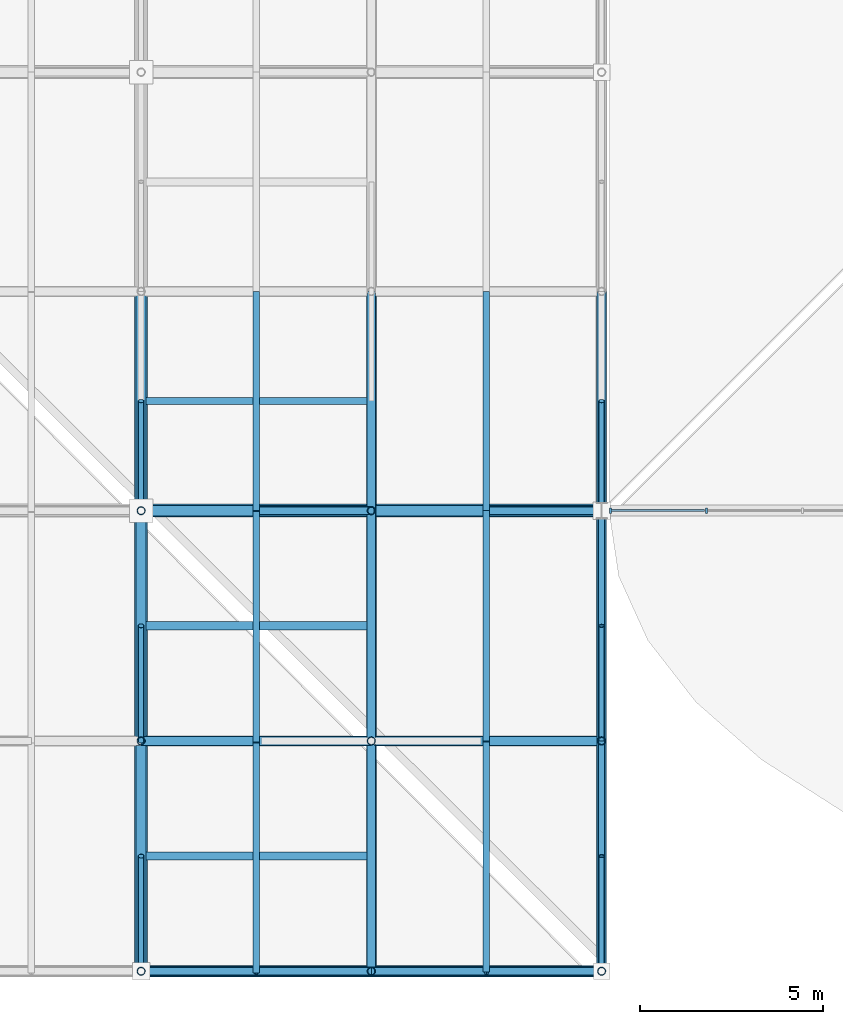
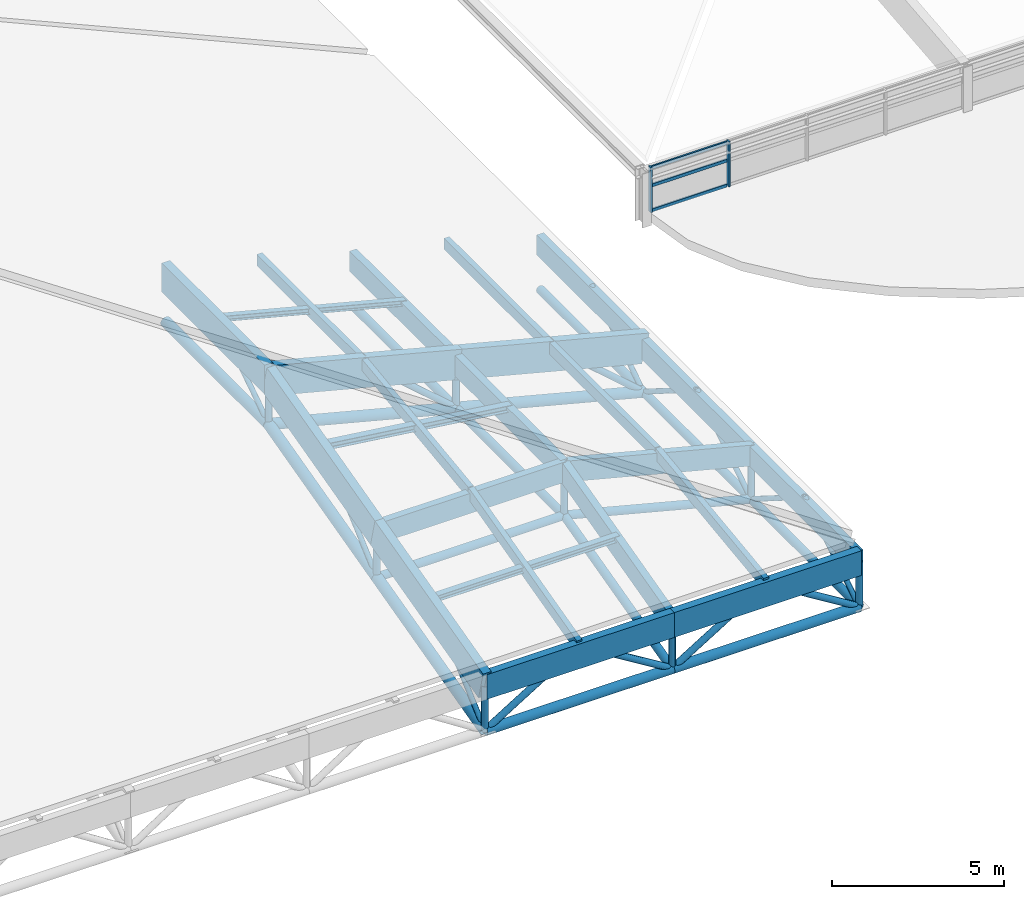
# One storey, part 32 of 80: 66 members, 1 element without a shape of its own.
"""IFC4 building model written with IfcOpenShell, lengths in metres."""

import ifcopenshell
import ifcopenshell.guid

model = None  # the IFC model being written
_history = None  # IfcOwnerHistory: only IFC2X3 demands one
_inside = {}  # id of a spatial element -> (the spatial element, [elements in it])
_under = {}  # id of a project, library or spatial element -> (it, [spatial elements below it])
_declared = {}  # id of a project -> (the project, [libraries it declares])
_typed = {}  # id of a type object -> (the type object, [elements of that type])
_made_of = {}  # id of a material, layer set ... -> (it, [elements and type objects made of it])


def new_model(schema):
    """Start an empty IFC model of exactly this schema.

    Asked for "IFC4X3", IfcOpenShell would pick the latest addendum, in which some entities
    have other attributes; the version numbers below select the first issue.
    IFC2X3 requires an IfcOwnerHistory on every rooted entity: one is made here for all.
    """
    global model, _history
    if schema == "IFC4X3":
        model = ifcopenshell.file(schema_version=(4, 3, 0, 0))
    else:
        model = ifcopenshell.file(schema=schema)
    _inside.clear()
    _under.clear()
    _declared.clear()
    _typed.clear()
    _made_of.clear()
    _history = None
    if model.schema == "IFC2X3":
        org = make("IfcOrganization", Name="unknown")
        user = make(
            "IfcPersonAndOrganization",
            ThePerson=make("IfcPerson", FamilyName="unknown"),
            TheOrganization=org,
        )
        app = make(
            "IfcApplication",
            ApplicationDeveloper=org,
            Version="unknown",
            ApplicationFullName="unknown",
            ApplicationIdentifier="unknown",
        )
        _history = make(
            "IfcOwnerHistory",
            OwningUser=user,
            OwningApplication=app,
            ChangeAction="ADDED",
            CreationDate=0,
        )
    return model


def make(cls, **values):
    """One entity of the class cls with the attributes given. An attribute that is None is left unset."""
    return model.create_entity(
        cls, **{name: value for name, value in values.items() if value is not None}
    )


def rooted(cls, **values):
    """An entity with a GlobalId (a new one), such as an element, a storey or a relation."""
    return make(cls, GlobalId=ifcopenshell.guid.new(), OwnerHistory=_history, **values)


def si_unit(unit_type, name, prefix=None):
    """IfcSIUnit, for example si_unit("LENGTHUNIT", "METRE", prefix="MILLI")."""
    return make("IfcSIUnit", UnitType=unit_type, Prefix=prefix, Name=name)


def assignment(units):
    """IfcUnitAssignment: the units of a project."""
    return None if units is None else make("IfcUnitAssignment", Units=units)


def point(xyz):
    """IfcCartesianPoint."""
    return None if xyz is None else make("IfcCartesianPoint", Coordinates=xyz)


def direction(xyz):
    """IfcDirection."""
    return None if xyz is None else make("IfcDirection", DirectionRatios=xyz)


def frame(location, z_axis=None, x_axis=None):
    """IfcAxis2Placement3D, a coordinate frame: its origin and axes. An axis left out is left unset."""
    return make(
        "IfcAxis2Placement3D",
        Location=point(location),
        Axis=direction(z_axis),
        RefDirection=direction(x_axis),
    )


def frame_2d(location, x_axis=None):
    """IfcAxis2Placement2D, a coordinate frame in the plane: its origin and x axis."""
    return make(
        "IfcAxis2Placement2D", Location=point(location), RefDirection=direction(x_axis)
    )


def origin():
    """The frame at (0, 0, 0) with its axes left unset."""
    return frame((0.0, 0.0, 0.0))


def origin_2d():
    """The frame at (0, 0) in the plane with its x axis left unset."""
    return frame_2d((0.0, 0.0))


def place(relative_to, where):
    """IfcLocalPlacement: puts the frame where relative to a parent placement (None: the world)."""
    return make(
        "IfcLocalPlacement", PlacementRelTo=relative_to, RelativePlacement=where
    )


def context(
    kind, dimensions, precision=None, world=None, true_north=None, identifier=None
):
    """IfcGeometricRepresentationContext, for example the 3D "Model" context."""
    return make(
        "IfcGeometricRepresentationContext",
        ContextIdentifier=identifier,
        ContextType=kind,
        CoordinateSpaceDimension=dimensions,
        Precision=precision,
        WorldCoordinateSystem=world,
        TrueNorth=true_north,
    )


def subcontext(parent, identifier, kind, view, scale=None):
    """IfcGeometricRepresentationSubContext, for example "Body" below "Model"."""
    return make(
        "IfcGeometricRepresentationSubContext",
        ContextIdentifier=identifier,
        ContextType=kind,
        ParentContext=parent,
        TargetScale=scale,
        TargetView=view,
    )


def project(units=None, contexts=None):
    """IfcProject with its units and contexts."""
    return rooted(
        "IfcProject",
        Name="project",
        RepresentationContexts=contexts,
        UnitsInContext=assignment(units),
    )


def spatial(cls, under=None, at=None, **own):
    """A site, building, storey or space (cls), placed at a placement, below another one or the project."""
    s = rooted(cls, ObjectPlacement=at, **own)
    if under is not None:
        _under.setdefault(under.id(), (under, []))[1].append(s)
    return s


def profile(cls, at=None, kind="AREA", **sizes):
    """A parametric profile (cls). Its sizes go by their IFC names, for example OverallWidth=200.0."""
    return make(cls, ProfileType=kind, Position=at, **sizes)


def rectangle(**sizes):
    """IfcRectangleProfileDef."""
    return profile("IfcRectangleProfileDef", **sizes)


def hollow_circle(**sizes):
    """IfcCircleHollowProfileDef."""
    return profile("IfcCircleHollowProfileDef", **sizes)


def i_section(**sizes):
    """IfcIShapeProfileDef."""
    return profile("IfcIShapeProfileDef", **sizes)


def extrude(swept, where, along, depth):
    """IfcExtrudedAreaSolid: the profile swept, set in the frame where, extruded along a direction by depth."""
    return make(
        "IfcExtrudedAreaSolid",
        SweptArea=swept,
        Position=where,
        ExtrudedDirection=direction(along),
        Depth=depth,
    )


def shape(context_of_items, identifier, shape_type, items):
    """IfcShapeRepresentation: the items that make up one representation, for example the "Body"."""
    return make(
        "IfcShapeRepresentation",
        ContextOfItems=context_of_items,
        RepresentationIdentifier=identifier,
        RepresentationType=shape_type,
        Items=items,
    )


def material(Name=None, Category=None):
    """IfcMaterial."""
    return make("IfcMaterial", Name=Name, Category=Category)


def material_profile(
    of_material, cross_section, Name=None, Category=None, Priority=None
):
    """IfcMaterialProfile: a cross section and its material."""
    return make(
        "IfcMaterialProfile",
        Name=Name,
        Material=of_material,
        Profile=cross_section,
        Priority=Priority,
        Category=Category,
    )


def profile_set(profiles, Name=None, composite=None):
    """IfcMaterialProfileSet."""
    return make(
        "IfcMaterialProfileSet",
        Name=Name,
        MaterialProfiles=profiles,
        CompositeProfile=composite,
    )


def made_of(thing, what):
    """Note that an element or type object is made of a material, layer set ...; save() writes the relation."""
    if what is not None:
        _made_of.setdefault(what.id(), (what, []))[1].append(thing)
    return thing


def type_object(cls, material=None, **own):
    """A type object (cls), such as IfcWallType, which elements share."""
    return made_of(rooted(cls, **own), material)


def element(
    cls,
    number,
    at=None,
    inside=None,
    cuts=None,
    type_object=None,
    material=None,
    context=None,
    identifier="Body",
    shape_type=None,
    held_by="IfcProductDefinitionShape",
    body=None,
    shapes=None,
    **own,
):
    """One element of the class cls, such as IfcWall. Its Tag is "e" and its number.

    at: its placement. inside: the storey or other place that contains it. cuts: it is an
    opening in that element (IfcRelVoidsElement). A single representation is given by context,
    identifier, shape_type and body (its items); several are given by shapes. held_by: the class
    of the entity that holds the representations. save() writes the other relations.
    """
    e = rooted(cls, Tag="e%d" % number, ObjectPlacement=at, **own)
    if body is not None:
        shapes = [shape(context, identifier, shape_type, body)]
    if shapes is not None:
        e.Representation = make(held_by, Representations=shapes)
    if inside is not None:
        _inside.setdefault(inside.id(), (inside, []))[1].append(e)
    if cuts is not None:
        rooted(
            "IfcRelVoidsElement", RelatingBuildingElement=cuts, RelatedOpeningElement=e
        )
    if type_object is not None:
        _typed.setdefault(type_object.id(), (type_object, []))[1].append(e)
    return made_of(e, material)


def aggregate(whole, parts):
    """IfcRelAggregates: a whole, such as a stair, and the parts it consists of."""
    return rooted("IfcRelAggregates", RelatingObject=whole, RelatedObjects=parts)


def save(model, path):
    """Write the relations noted so far, then the file.

    IfcRelAggregates (storeys below a building ...), IfcRelContainedInSpatialStructure (elements
    in a storey), IfcRelDefinesByType, IfcRelAssociatesMaterial and IfcRelDeclares: one each for
    every whole, place, type object, material and project.
    """
    for whole, parts in _under.values():
        aggregate(whole, parts)
    for where, things in _inside.values():
        rooted(
            "IfcRelContainedInSpatialStructure",
            RelatedElements=things,
            RelatingStructure=where,
        )
    for kind, things in _typed.values():
        rooted("IfcRelDefinesByType", RelatedObjects=things, RelatingType=kind)
    for what, things in _made_of.values():
        rooted("IfcRelAssociatesMaterial", RelatedObjects=things, RelatingMaterial=what)
    for by, libraries in _declared.values():
        rooted("IfcRelDeclares", RelatingContext=by, RelatedDefinitions=libraries)
    model.write(path)


model = new_model("IFC4")

# Units and contexts
model_context = context("Model", 3, precision=1e-05, world=origin(), true_north=direction((0.0, 1.0)))
body_context = subcontext(model_context, "Body", "Model", "MODEL_VIEW")
ifc_project = project(units=[si_unit("LENGTHUNIT", "METRE"), si_unit("AREAUNIT", "SQUARE_METRE"), si_unit("VOLUMEUNIT", "CUBIC_METRE"), si_unit("PLANEANGLEUNIT", "RADIAN"), si_unit("MASSUNIT", "GRAM", prefix="KILO"), si_unit("THERMODYNAMICTEMPERATUREUNIT", "KELVIN"), si_unit("POWERUNIT", "WATT")], contexts=[model_context])

# Site, building, storey
site_placement = place(None, origin())
site = spatial("IfcSite", under=ifc_project, at=site_placement, CompositionType="ELEMENT")
building_placement = place(site_placement, origin())
building = spatial("IfcBuilding", under=site, at=building_placement, Name="Solmara Park Aquatics Centre", CompositionType="ELEMENT")
storey_placement = place(building_placement, frame((0.0, 0.0, 22.800048828125)))
storey = spatial("IfcBuildingStorey", under=building, at=storey_placement, Name="RF", CompositionType="ELEMENT", Elevation=22.800048828125)

# Curtain wall, members
ifc_material_1 = material(Name="Anodised Aluminium Curtain Wall Framing", Category="aluminium")
curtain_wall_type = type_object("IfcCurtainWallType", Name="ARC-CW-SYS06", PredefinedType="USERDEFINED", material=ifc_material_1)
curtain_wall_placement = place(storey_placement, origin())
curtain_wall = element("IfcCurtainWall", 1, at=curtain_wall_placement, inside=storey, type_object=curtain_wall_type, Name="Curtain Wall CW-083", ObjectType="CURTAIN WALL", PredefinedType="USERDEFINED")
ifc_material_2 = material(Name="Anodised Aluminium Alloy 6063-T6", Category="aluminium")
ifc_material_profile_1 = material_profile(ifc_material_2, rectangle(XDim=0.054931640625, YDim=0.139892578125, at=origin_2d()), Name="ALU MULLION 55x140")
ifc_profile_set_1 = profile_set([ifc_material_profile_1], Name="Anodised Aluminium Alloy 6063-T6")
member_type_1 = type_object("IfcMemberType", Name="ARC-CWM-55x140", PredefinedType="MULLION", material=ifc_profile_set_1)
member_1_placement = place(storey_placement, frame((109.43994140625, 12.60009765625, -8.080078125), z_axis=(0.0, 0.0, 1.0), x_axis=(1.0, 0.0, 0.0)))
member_1 = element("IfcMember", 2, at=member_1_placement, type_object=member_type_1, Name="CW-083 mullion 1", PredefinedType="MULLION", context=body_context, shape_type="SweptSolid", body=[
    extrude(rectangle(XDim=0.054931640625, YDim=0.139892578125, at=origin_2d()), origin(), (0.0, 0.0, 1.0), 1.60009765625),
])
member_2_placement = place(storey_placement, frame((112.070068359375, 12.60009765625, -8.080078125), z_axis=(0.0, 0.0, 1.0), x_axis=(1.0, 0.0, 0.0)))
member_2 = element("IfcMember", 3, at=member_2_placement, type_object=member_type_1, Name="CW-083 mullion 2", PredefinedType="MULLION", context=body_context, shape_type="SweptSolid", body=[
    extrude(rectangle(XDim=0.054931640625, YDim=0.139892578125, at=origin_2d()), origin(), (0.0, 0.0, 1.0), 1.60009765625),
])
ifc_material_profile_2 = material_profile(ifc_material_2, rectangle(XDim=0.054931640625, YDim=0.110107421875, at=origin_2d()), Name="ALU TRANSOM 55x110")
ifc_profile_set_2 = profile_set([ifc_material_profile_2], Name="Anodised Aluminium Alloy 6063-T6")
member_type_2 = type_object("IfcMemberType", Name="ARC-CWT-55x110", PredefinedType="USERDEFINED", material=ifc_profile_set_2)
member_3_placement = place(storey_placement, frame((109.4599609375, 12.60009765625, -8.0400390625), z_axis=(1.0, 0.0, 0.0), x_axis=(0.0, 1.0, 0.0)))
member_3 = element("IfcMember", 4, at=member_3_placement, type_object=member_type_2, Name="CW-083 transom 1", ObjectType="TRANSOM", PredefinedType="USERDEFINED", context=body_context, shape_type="SweptSolid", body=[
    extrude(rectangle(XDim=0.054931640625, YDim=0.110107421875, at=origin_2d()), origin(), (0.0, 0.0, 1.0), 2.550048828125),
])
member_4_placement = place(storey_placement, frame((109.4599609375, 12.60009765625, -7.152099609375), z_axis=(1.0, 0.0, 0.0), x_axis=(0.0, 1.0, 0.0)))
member_4 = element("IfcMember", 5, at=member_4_placement, type_object=member_type_2, Name="CW-083 transom 2", ObjectType="TRANSOM", PredefinedType="USERDEFINED", context=body_context, shape_type="SweptSolid", body=[
    extrude(rectangle(XDim=0.054931640625, YDim=0.110107421875, at=origin_2d()), origin(), (0.0, 0.0, 1.0), 2.550048828125),
])
member_5_placement = place(storey_placement, frame((109.4599609375, 12.60009765625, -6.52001953125), z_axis=(1.0, 0.0, 0.0), x_axis=(0.0, 1.0, 0.0)))
member_5 = element("IfcMember", 6, at=member_5_placement, type_object=member_type_2, Name="CW-083 transom 3", ObjectType="TRANSOM", PredefinedType="USERDEFINED", context=body_context, shape_type="SweptSolid", body=[
    extrude(rectangle(XDim=0.054931640625, YDim=0.110107421875, at=origin_2d()), origin(), (0.0, 0.0, 1.0), 2.550048828125),
])
aggregate(curtain_wall, [member_1, member_2, member_3, member_4, member_5])

# Members
ifc_material_3 = material(Name="Structural Steel S355", Category="steel")
ifc_material_profile_3 = material_profile(ifc_material_3, hollow_circle(Radius=0.084228515625, WallThickness=0.008056640625, at=origin_2d()), Name="CHS 168.3x8")
ifc_profile_set_3 = profile_set([ifc_material_profile_3], Name="Structural Steel S355")
member_type_3 = type_object("IfcMemberType", Name="STR-BRC-CHS168", PredefinedType="BRACE", material=ifc_profile_set_3)
member_6_placement = place(storey_placement, frame((96.60009765625, 0.0, -14.400146484375), z_axis=(0.0, 0.748026356938, 0.663669020917), x_axis=(-1.0, 0.0, 0.0)))
element("IfcMember", 7, at=member_6_placement, inside=storey, type_object=member_type_3, Name="Roof Truss Web Diagonal Y 1857", PredefinedType="BRACE", context=body_context, shape_type="SweptSolid", body=[
    extrude(hollow_circle(Radius=0.084228515625, WallThickness=0.008056640625, at=origin_2d()), origin(), (0.0, 0.0, 1.0), 4.2109375),
])
member_7_placement = place(storey_placement, frame((109.199951171875, 0.0, -14.400146484375), z_axis=(0.0, 0.846631480792, 0.532179608527), x_axis=(-1.0, 0.0, 0.0)))
element("IfcMember", 8, at=member_7_placement, inside=storey, type_object=member_type_3, Name="Roof Truss Web Diagonal Y 1858", PredefinedType="BRACE", context=body_context, shape_type="SweptSolid", body=[
    extrude(hollow_circle(Radius=0.084228515625, WallThickness=0.008056640625, at=origin_2d()), origin(), (0.0, 0.0, 1.0), 3.720458984375),
])
member_8_placement = place(storey_placement, frame((109.199951171875, 6.300048828125, -14.400146484375), z_axis=(0.0, -0.846650063869, 0.532150044019), x_axis=(1.0, 0.0, 0.0)))
element("IfcMember", 9, at=member_8_placement, inside=storey, type_object=member_type_3, Name="Roof Truss Web Diagonal Y 1859", PredefinedType="BRACE", context=body_context, shape_type="SweptSolid", body=[
    extrude(hollow_circle(Radius=0.084228515625, WallThickness=0.008056640625, at=origin_2d()), origin(), (0.0, 0.0, 1.0), 3.720703125),
])
member_9_placement = place(storey_placement, frame((96.60009765625, 6.300048828125, -12.770751953125), z_axis=(0.0, 0.748026356938, 0.663669020917), x_axis=(-1.0, 0.0, 0.0)))
element("IfcMember", 10, at=member_9_placement, inside=storey, type_object=member_type_3, Name="Roof Truss Web Diagonal Y 1878", PredefinedType="BRACE", context=body_context, shape_type="SweptSolid", body=[
    extrude(hollow_circle(Radius=0.084228515625, WallThickness=0.008056640625, at=origin_2d()), origin(), (0.0, 0.0, 1.0), 4.2109375),
])
member_10_placement = place(storey_placement, frame((109.199951171875, 6.300048828125, -14.400146484375), z_axis=(0.0, 0.846631480792, 0.532179608527), x_axis=(-1.0, 0.0, 0.0)))
element("IfcMember", 11, at=member_10_placement, inside=storey, type_object=member_type_3, Name="Roof Truss Web Diagonal Y 1879", PredefinedType="BRACE", context=body_context, shape_type="SweptSolid", body=[
    extrude(hollow_circle(Radius=0.084228515625, WallThickness=0.008056640625, at=origin_2d()), origin(), (0.0, 0.0, 1.0), 3.720458984375),
])
member_11_placement = place(storey_placement, frame((109.199951171875, 12.60009765625, -14.400146484375), z_axis=(0.0, -0.846650063869, 0.532150044019), x_axis=(1.0, 0.0, 0.0)))
element("IfcMember", 12, at=member_11_placement, inside=storey, type_object=member_type_3, Name="Roof Truss Web Diagonal Y 1880", PredefinedType="BRACE", context=body_context, shape_type="SweptSolid", body=[
    extrude(hollow_circle(Radius=0.084228515625, WallThickness=0.008056640625, at=origin_2d()), origin(), (0.0, 0.0, 1.0), 3.720703125),
])
for number, where, z_axis, x_axis, name in (
    (13, (96.60009765625, 12.60009765625, -11.141357421875), (0.0, 0.834611904619, 0.550838423377), (-1.0, 0.0, 0.0), "Roof Truss Web Diagonal Y 1900"),
    (14, (109.199951171875, 12.60009765625, -14.400146484375), (0.0, 0.834611904619, 0.550838423377), (-1.0, 0.0, 0.0), "Roof Truss Web Diagonal Y 1902"),
):
    element("IfcMember", number, at=place(storey_placement, frame(where, z_axis=z_axis, x_axis=x_axis)), inside=storey, type_object=member_type_3, Name=name, PredefinedType="BRACE", context=body_context, shape_type="SweptSolid", body=[
        extrude(hollow_circle(Radius=0.084228515625, WallThickness=0.008056640625, at=origin_2d()), origin(), (0.0, 0.0, 1.0), 3.594482421875),
    ])
ifc_material_profile_4 = material_profile(ifc_material_3, hollow_circle(Radius=0.109619140625, WallThickness=0.010009765625, at=origin_2d()), Name="CHS 219.1x10")
ifc_profile_set_4 = profile_set([ifc_material_profile_4], Name="Structural Steel S355")
member_type_4 = type_object("IfcMemberType", Name="STR-BRC-CHS219", PredefinedType="BRACE", material=ifc_profile_set_4)
for number, where, z_axis, x_axis, name in (
    (15, (96.60009765625, 0.0, -14.400146484375), (0.851442988405, 0.0, 0.524447173218), (0.0, 1.0, 0.0), "Roof Truss Web Diagonal X 1805"),
    (16, (102.89990234375, 0.0, -14.400146484375), (-0.851442988405, 0.0, 0.524447173218), (0.0, -1.0, 0.0), "Roof Truss Web Diagonal X 1806"),
):
    element("IfcMember", number, at=place(storey_placement, frame(where, z_axis=z_axis, x_axis=x_axis)), inside=storey, type_object=member_type_4, Name=name, PredefinedType="BRACE", context=body_context, shape_type="SweptSolid", body=[
        extrude(hollow_circle(Radius=0.109619140625, WallThickness=0.010009765625, at=origin_2d()), origin(), (0.0, 0.0, 1.0), 3.699462890625),
    ])
member_12_placement = place(storey_placement, frame((102.89990234375, 12.60009765625, -12.770751953125), z_axis=(-0.752757378615, 0.0, 0.658298054791), x_axis=(0.0, -1.0, 0.0)))
element("IfcMember", 17, at=member_12_placement, inside=storey, type_object=member_type_4, Name="Roof Truss Web Diagonal X 1807", PredefinedType="BRACE", context=body_context, shape_type="SweptSolid", body=[
    extrude(hollow_circle(Radius=0.109619140625, WallThickness=0.010009765625, at=origin_2d()), origin(), (0.0, 0.0, 1.0), 4.1845703125),
])
member_13_placement = place(storey_placement, frame((102.89990234375, 0.0, -14.400146484375), z_axis=(0.851461137937, 0.0, 0.524417706207), x_axis=(0.0, 1.0, 0.0)))
element("IfcMember", 18, at=member_13_placement, inside=storey, type_object=member_type_4, Name="Roof Truss Web Diagonal X 1829", PredefinedType="BRACE", context=body_context, shape_type="SweptSolid", body=[
    extrude(hollow_circle(Radius=0.109619140625, WallThickness=0.010009765625, at=origin_2d()), origin(), (0.0, 0.0, 1.0), 3.69970703125),
])
member_14_placement = place(storey_placement, frame((109.199951171875, 0.0, -14.400146484375), z_axis=(-0.851442988405, 0.0, 0.524447173218), x_axis=(0.0, -1.0, 0.0)))
element("IfcMember", 19, at=member_14_placement, inside=storey, type_object=member_type_4, Name="Roof Truss Web Diagonal X 1830", PredefinedType="BRACE", context=body_context, shape_type="SweptSolid", body=[
    extrude(hollow_circle(Radius=0.109619140625, WallThickness=0.010009765625, at=origin_2d()), origin(), (0.0, 0.0, 1.0), 3.699462890625),
])
member_15_placement = place(storey_placement, frame((109.199951171875, 12.60009765625, -14.400146484375), z_axis=(-0.752757378615, 0.0, 0.658298054791), x_axis=(0.0, -1.0, 0.0)))
element("IfcMember", 20, at=member_15_placement, inside=storey, type_object=member_type_4, Name="Roof Truss Web Diagonal X 1831", PredefinedType="BRACE", context=body_context, shape_type="SweptSolid", body=[
    extrude(hollow_circle(Radius=0.109619140625, WallThickness=0.010009765625, at=origin_2d()), origin(), (0.0, 0.0, 1.0), 4.1845703125),
])
ifc_material_profile_5 = material_profile(ifc_material_3, hollow_circle(Radius=0.136474609375, WallThickness=0.012451171875, at=origin_2d()), Name="CHS 273x12.5")
ifc_profile_set_5 = profile_set([ifc_material_profile_5], Name="Structural Steel S355")
member_type_5 = type_object("IfcMemberType", Name="STR-CHD-CHS273", PredefinedType="CHORD", material=ifc_profile_set_5)
member_16_placement = place(storey_placement, frame((96.60009765625, 6.300048828125, -12.770751953125), z_axis=(1.0, 0.0, 0.0), x_axis=(0.0, 1.0, 0.0)))
element("IfcMember", 21, at=member_16_placement, inside=storey, type_object=member_type_5, Name="Steel Roof Truss Bottom Chord X 0070", PredefinedType="CHORD", context=body_context, shape_type="SweptSolid", body=[
    extrude(hollow_circle(Radius=0.136474609375, WallThickness=0.012451171875, at=origin_2d()), origin(), (0.0, 0.0, 1.0), 6.2998046875),
])
for number, where, z_axis, x_axis, name in (
    (22, (102.89990234375, 6.300048828125, -12.770751953125), (0.968144245908, 0.0, -0.25039312913), (0.0, 1.0, 0.0), "Steel Roof Truss Bottom Chord X 0072"),
    (23, (102.89990234375, 0.0, -14.400146484375), (0.0, 0.968144245908, 0.25039312913), (-1.0, 0.0, 0.0), "Steel Roof Truss Bottom Chord Y 1018"),
):
    element("IfcMember", number, at=place(storey_placement, frame(where, z_axis=z_axis, x_axis=x_axis)), inside=storey, type_object=member_type_5, Name=name, PredefinedType="CHORD", context=body_context, shape_type="SweptSolid", body=[
        extrude(hollow_circle(Radius=0.136474609375, WallThickness=0.012451171875, at=origin_2d()), origin(), (0.0, 0.0, 1.0), 6.50732421875),
    ])
member_17_placement = place(storey_placement, frame((102.89990234375, 6.300048828125, -12.770751953125), z_axis=(0.0, 1.0, 0.0), x_axis=(-1.0, 0.0, 0.0)))
element("IfcMember", 24, at=member_17_placement, inside=storey, type_object=member_type_5, Name="Steel Roof Truss Bottom Chord Y 1020", PredefinedType="CHORD", context=body_context, shape_type="SweptSolid", body=[
    extrude(hollow_circle(Radius=0.136474609375, WallThickness=0.012451171875, at=origin_2d()), origin(), (0.0, 0.0, 1.0), 6.300048828125),
])
member_18_placement = place(storey_placement, frame((102.89990234375, 12.60009765625, -12.770751953125), z_axis=(0.0, 1.0, 0.0), x_axis=(-1.0, 0.0, 0.0)))
element("IfcMember", 25, at=member_18_placement, inside=storey, type_object=member_type_5, Name="Steel Roof Truss Bottom Chord Y 1022", PredefinedType="CHORD", context=body_context, shape_type="SweptSolid", body=[
    extrude(hollow_circle(Radius=0.136474609375, WallThickness=0.012451171875, at=origin_2d()), origin(), (0.0, 0.0, 1.0), 6.0),
])
for number, where, z_axis, x_axis, name in (
    (26, (109.199951171875, 0.0, -14.400146484375), (0.0, 1.0, 0.0), (-1.0, 0.0, 0.0), "Steel Roof Truss Bottom Chord Y 1046"),
    (27, (109.199951171875, 6.300048828125, -14.400146484375), (0.0, 1.0, 0.0), (-1.0, 0.0, 0.0), "Steel Roof Truss Bottom Chord Y 1048"),
):
    element("IfcMember", number, at=place(storey_placement, frame(where, z_axis=z_axis, x_axis=x_axis)), inside=storey, type_object=member_type_5, Name=name, PredefinedType="CHORD", context=body_context, shape_type="SweptSolid", body=[
        extrude(hollow_circle(Radius=0.136474609375, WallThickness=0.012451171875, at=origin_2d()), origin(), (0.0, 0.0, 1.0), 6.300048828125),
    ])
member_19_placement = place(storey_placement, frame((109.199951171875, 12.60009765625, -14.400146484375), z_axis=(0.0, 1.0, 0.0), x_axis=(-1.0, 0.0, 0.0)))
element("IfcMember", 28, at=member_19_placement, inside=storey, type_object=member_type_5, Name="Steel Roof Truss Bottom Chord Y 1050", PredefinedType="CHORD", context=body_context, shape_type="SweptSolid", body=[
    extrude(hollow_circle(Radius=0.136474609375, WallThickness=0.012451171875, at=origin_2d()), origin(), (0.0, 0.0, 1.0), 6.0),
])
ifc_material_profile_6 = material_profile(ifc_material_3, hollow_circle(Radius=0.161865234375, WallThickness=0.01611328125, at=origin_2d()), Name="CHS 323.9x16")
ifc_profile_set_6 = profile_set([ifc_material_profile_6], Name="Structural Steel S355")
member_type_6 = type_object("IfcMemberType", Name="STR-CHD-CHS323", PredefinedType="CHORD", material=ifc_profile_set_6)
member_20_placement = place(storey_placement, frame((96.60009765625, 0.0, -14.400146484375), z_axis=(1.0, 0.0, 0.0), x_axis=(0.0, 1.0, 0.0)))
element("IfcMember", 29, at=member_20_placement, inside=storey, type_object=member_type_6, Name="Steel Roof Truss Bottom Chord X 0034", PredefinedType="CHORD", context=body_context, shape_type="SweptSolid", body=[
    extrude(hollow_circle(Radius=0.161865234375, WallThickness=0.01611328125, at=origin_2d()), origin(), (0.0, 0.0, 1.0), 6.2998046875),
])
member_21_placement = place(storey_placement, frame((102.89990234375, 0.0, -14.400146484375), z_axis=(1.0, 0.0, 0.0), x_axis=(0.0, 1.0, 0.0)))
element("IfcMember", 30, at=member_21_placement, inside=storey, type_object=member_type_6, Name="Steel Roof Truss Bottom Chord X 0036", PredefinedType="CHORD", context=body_context, shape_type="SweptSolid", body=[
    extrude(hollow_circle(Radius=0.161865234375, WallThickness=0.01611328125, at=origin_2d()), origin(), (0.0, 0.0, 1.0), 6.300048828125),
])
ifc_material_profile_7 = material_profile(ifc_material_3, hollow_circle(Radius=0.177734375, WallThickness=0.01611328125, at=origin_2d()), Name="CHS 355.6x16")
ifc_profile_set_7 = profile_set([ifc_material_profile_7], Name="Structural Steel S355")
member_type_7 = type_object("IfcMemberType", Name="STR-CHD-CHS355", PredefinedType="CHORD", material=ifc_profile_set_7)
member_22_placement = place(storey_placement, frame((96.60009765625, 12.60009765625, -11.141357421875), z_axis=(0.968141893543, 0.0, -0.250402224365), x_axis=(0.0, 1.0, 0.0)))
element("IfcMember", 31, at=member_22_placement, inside=storey, type_object=member_type_7, Name="Steel Roof Truss Bottom Chord X 0106", PredefinedType="CHORD", context=body_context, shape_type="SweptSolid", body=[
    extrude(hollow_circle(Radius=0.177734375, WallThickness=0.01611328125, at=origin_2d()), origin(), (0.0, 0.0, 1.0), 6.507080078125),
])
for number, where, z_axis, x_axis, name in (
    (32, (102.89990234375, 12.60009765625, -12.770751953125), (0.968144245908, 0.0, -0.25039312913), (0.0, 1.0, 0.0), "Steel Roof Truss Bottom Chord X 0108"),
    (33, (96.60009765625, 0.0, -14.400146484375), (0.0, 0.968144245908, 0.25039312913), (-1.0, 0.0, 0.0), "Steel Roof Truss Bottom Chord Y 0990"),
    (34, (96.60009765625, 6.300048828125, -12.770751953125), (0.0, 0.968144245908, 0.25039312913), (-1.0, 0.0, 0.0), "Steel Roof Truss Bottom Chord Y 0992"),
):
    element("IfcMember", number, at=place(storey_placement, frame(where, z_axis=z_axis, x_axis=x_axis)), inside=storey, type_object=member_type_7, Name=name, PredefinedType="CHORD", context=body_context, shape_type="SweptSolid", body=[
        extrude(hollow_circle(Radius=0.177734375, WallThickness=0.01611328125, at=origin_2d()), origin(), (0.0, 0.0, 1.0), 6.50732421875),
    ])
member_23_placement = place(storey_placement, frame((96.60009765625, 12.60009765625, -11.141357421875), z_axis=(0.0, 1.0, 0.0), x_axis=(-1.0, 0.0, 0.0)))
element("IfcMember", 35, at=member_23_placement, inside=storey, type_object=member_type_7, Name="Steel Roof Truss Bottom Chord Y 0994", PredefinedType="CHORD", context=body_context, shape_type="SweptSolid", body=[
    extrude(hollow_circle(Radius=0.177734375, WallThickness=0.01611328125, at=origin_2d()), origin(), (0.0, 0.0, 1.0), 6.0),
])
ifc_material_4 = material(Name="Glulam Timber GL28h", Category="wood")
ifc_material_profile_8 = material_profile(ifc_material_4, rectangle(XDim=0.239990234375, YDim=0.719970703125, at=origin_2d()), Name="GL28h 240x720")
ifc_profile_set_8 = profile_set([ifc_material_profile_8], Name="Glulam Timber GL28h")
member_type_8 = type_object("IfcMemberType", Name="STR-CHD-GL240x720", PredefinedType="CHORD", material=ifc_profile_set_8)
member_24_placement = place(storey_placement, frame((96.60009765625, 6.300048828125, -11.150634765625), z_axis=(1.0, 0.0, 0.0), x_axis=(0.0, 1.0, 0.0)))
element("IfcMember", 36, at=member_24_placement, inside=storey, type_object=member_type_8, Name="Glulam Roof Truss Top Chord X 0069", PredefinedType="CHORD", context=body_context, shape_type="SweptSolid", body=[
    extrude(rectangle(XDim=0.239990234375, YDim=0.719970703125, at=origin_2d()), origin(), (0.0, 0.0, 1.0), 6.2998046875),
])
for number, where, z_axis, x_axis, name in (
    (37, (102.89990234375, 6.300048828125, -11.150634765625), (0.968144245908, 0.0, -0.25039312913), (0.0, 1.0, 0.0), "Glulam Roof Truss Top Chord X 0071"),
    (38, (102.89990234375, 0.0, -12.780029296875), (0.0, 0.968144245908, 0.25039312913), (-1.0, 0.0, 0.0), "Glulam Roof Truss Top Chord Y 1017"),
):
    element("IfcMember", number, at=place(storey_placement, frame(where, z_axis=z_axis, x_axis=x_axis)), inside=storey, type_object=member_type_8, Name=name, PredefinedType="CHORD", context=body_context, shape_type="SweptSolid", body=[
        extrude(rectangle(XDim=0.239990234375, YDim=0.719970703125, at=origin_2d()), origin(), (0.0, 0.0, 1.0), 6.50732421875),
    ])
member_25_placement = place(storey_placement, frame((102.89990234375, 6.300048828125, -11.150634765625), z_axis=(0.0, 1.0, 0.0), x_axis=(-1.0, 0.0, 0.0)))
element("IfcMember", 39, at=member_25_placement, inside=storey, type_object=member_type_8, Name="Glulam Roof Truss Top Chord Y 1019", PredefinedType="CHORD", context=body_context, shape_type="SweptSolid", body=[
    extrude(rectangle(XDim=0.239990234375, YDim=0.719970703125, at=origin_2d()), origin(), (0.0, 0.0, 1.0), 6.300048828125),
])
member_26_placement = place(storey_placement, frame((102.89990234375, 12.60009765625, -11.150634765625), z_axis=(0.0, 1.0, 0.0), x_axis=(-1.0, 0.0, 0.0)))
element("IfcMember", 40, at=member_26_placement, inside=storey, type_object=member_type_8, Name="Glulam Roof Truss Top Chord Y 1021", PredefinedType="CHORD", context=body_context, shape_type="SweptSolid", body=[
    extrude(rectangle(XDim=0.239990234375, YDim=0.719970703125, at=origin_2d()), origin(), (0.0, 0.0, 1.0), 6.0),
])
for number, where, z_axis, x_axis, name in (
    (41, (109.199951171875, 0.0, -12.780029296875), (0.0, 1.0, 0.0), (-1.0, 0.0, 0.0), "Glulam Roof Truss Top Chord Y 1045"),
    (42, (109.199951171875, 6.300048828125, -12.780029296875), (0.0, 1.0, 0.0), (-1.0, 0.0, 0.0), "Glulam Roof Truss Top Chord Y 1047"),
):
    element("IfcMember", number, at=place(storey_placement, frame(where, z_axis=z_axis, x_axis=x_axis)), inside=storey, type_object=member_type_8, Name=name, PredefinedType="CHORD", context=body_context, shape_type="SweptSolid", body=[
        extrude(rectangle(XDim=0.239990234375, YDim=0.719970703125, at=origin_2d()), origin(), (0.0, 0.0, 1.0), 6.300048828125),
    ])
member_27_placement = place(storey_placement, frame((109.199951171875, 12.60009765625, -12.780029296875), z_axis=(0.0, 1.0, 0.0), x_axis=(-1.0, 0.0, 0.0)))
element("IfcMember", 43, at=member_27_placement, inside=storey, type_object=member_type_8, Name="Glulam Roof Truss Top Chord Y 1049", PredefinedType="CHORD", context=body_context, shape_type="SweptSolid", body=[
    extrude(rectangle(XDim=0.239990234375, YDim=0.719970703125, at=origin_2d()), origin(), (0.0, 0.0, 1.0), 6.0),
])
ifc_material_profile_9 = material_profile(ifc_material_4, rectangle(XDim=0.260009765625, YDim=0.8798828125, at=origin_2d()), Name="GL28h 260x880")
ifc_profile_set_9 = profile_set([ifc_material_profile_9], Name="Glulam Timber GL28h")
member_type_9 = type_object("IfcMemberType", Name="STR-CHD-GL260x880", PredefinedType="CHORD", material=ifc_profile_set_9)
member_28_placement = place(storey_placement, frame((96.60009765625, 0.0, -12.780029296875), z_axis=(1.0, 0.0, 0.0), x_axis=(0.0, 1.0, 0.0)))
element("IfcMember", 44, at=member_28_placement, inside=storey, type_object=member_type_9, Name="Glulam Roof Truss Top Chord X 0033", PredefinedType="CHORD", context=body_context, shape_type="SweptSolid", body=[
    extrude(rectangle(XDim=0.260009765625, YDim=0.8798828125, at=origin_2d()), origin(), (0.0, 0.0, 1.0), 6.2998046875),
])
member_29_placement = place(storey_placement, frame((102.89990234375, 0.0, -12.780029296875), z_axis=(1.0, 0.0, 0.0), x_axis=(0.0, 1.0, 0.0)))
element("IfcMember", 45, at=member_29_placement, inside=storey, type_object=member_type_9, Name="Glulam Roof Truss Top Chord X 0035", PredefinedType="CHORD", context=body_context, shape_type="SweptSolid", body=[
    extrude(rectangle(XDim=0.260009765625, YDim=0.8798828125, at=origin_2d()), origin(), (0.0, 0.0, 1.0), 6.300048828125),
])
ifc_material_profile_10 = material_profile(ifc_material_4, rectangle(XDim=0.280029296875, YDim=1.0400390625, at=origin_2d()), Name="GL28h 280x1040")
ifc_profile_set_10 = profile_set([ifc_material_profile_10], Name="Glulam Timber GL28h")
member_type_10 = type_object("IfcMemberType", Name="STR-CHD-GL280x1040", PredefinedType="CHORD", material=ifc_profile_set_10)
member_30_placement = place(storey_placement, frame((96.60009765625, 12.60009765625, -9.521484375), z_axis=(0.968150988544, 0.0, -0.250367057299), x_axis=(0.0, 1.0, 0.0)))
element("IfcMember", 46, at=member_30_placement, inside=storey, type_object=member_type_10, Name="Glulam Roof Truss Top Chord X 0105", PredefinedType="CHORD", context=body_context, shape_type="SweptSolid", body=[
    extrude(rectangle(XDim=0.280029296875, YDim=1.0400390625, at=origin_2d()), origin(), (0.0, 0.0, 1.0), 6.507080078125),
])
for number, where, z_axis, x_axis, name in (
    (47, (102.89990234375, 12.60009765625, -11.150634765625), (0.968144245908, 0.0, -0.25039312913), (0.0, 1.0, 0.0), "Glulam Roof Truss Top Chord X 0107"),
    (48, (96.60009765625, 0.0, -12.780029296875), (0.0, 0.968144245908, 0.25039312913), (-1.0, 0.0, 0.0), "Glulam Roof Truss Top Chord Y 0989"),
    (49, (96.60009765625, 6.300048828125, -11.150634765625), (0.0, 0.96815334027, 0.250357963171), (-1.0, 0.0, 0.0), "Glulam Roof Truss Top Chord Y 0991"),
):
    element("IfcMember", number, at=place(storey_placement, frame(where, z_axis=z_axis, x_axis=x_axis)), inside=storey, type_object=member_type_10, Name=name, PredefinedType="CHORD", context=body_context, shape_type="SweptSolid", body=[
        extrude(rectangle(XDim=0.280029296875, YDim=1.0400390625, at=origin_2d()), origin(), (0.0, 0.0, 1.0), 6.50732421875),
    ])
member_31_placement = place(storey_placement, frame((96.60009765625, 12.60009765625, -9.521484375), z_axis=(0.0, 1.0, 0.0), x_axis=(-1.0, 0.0, 0.0)))
element("IfcMember", 50, at=member_31_placement, inside=storey, type_object=member_type_10, Name="Glulam Roof Truss Top Chord Y 0993", PredefinedType="CHORD", context=body_context, shape_type="SweptSolid", body=[
    extrude(rectangle(XDim=0.280029296875, YDim=1.0400390625, at=origin_2d()), origin(), (0.0, 0.0, 1.0), 6.0),
])
ifc_material_profile_11 = material_profile(ifc_material_4, rectangle(XDim=0.179931640625, YDim=0.39990234375, at=origin_2d()), Name="GL28h 180x400")
ifc_profile_set_11 = profile_set([ifc_material_profile_11], Name="Glulam Timber GL28h")
member_type_11 = type_object("IfcMemberType", Name="STR-PRL-GL180x400", PredefinedType="PURLIN", material=ifc_profile_set_11)
member_32_placement = place(storey_placement, frame((99.75, 0.0, -12.4599609375), z_axis=(0.0, 0.96815334027, 0.250357963171), x_axis=(-1.0, 0.0, 0.0)))
element("IfcMember", 51, at=member_32_placement, inside=storey, type_object=member_type_11, Name="Glulam Roof Purlin 1791", PredefinedType="PURLIN", context=body_context, shape_type="SweptSolid", body=[
    extrude(rectangle(XDim=0.179931640625, YDim=0.39990234375, at=origin_2d()), origin(), (0.0, 0.0, 1.0), 6.50732421875),
])
member_33_placement = place(storey_placement, frame((99.75, 6.300048828125, -10.830810546875), z_axis=(0.0, 0.991742110082, 0.128248146535), x_axis=(-1.0, 0.0, 0.0)))
element("IfcMember", 52, at=member_33_placement, inside=storey, type_object=member_type_11, Name="Glulam Roof Purlin 1792", PredefinedType="PURLIN", context=body_context, shape_type="SweptSolid", body=[
    extrude(rectangle(XDim=0.179931640625, YDim=0.39990234375, at=origin_2d()), origin(), (0.0, 0.0, 1.0), 6.3525390625),
])
member_34_placement = place(storey_placement, frame((99.75, 12.60009765625, -10.01611328125), z_axis=(0.0, 1.0, 0.0), x_axis=(-1.0, 0.0, 0.0)))
element("IfcMember", 53, at=member_34_placement, inside=storey, type_object=member_type_11, Name="Glulam Roof Purlin 1793", PredefinedType="PURLIN", context=body_context, shape_type="SweptSolid", body=[
    extrude(rectangle(XDim=0.179931640625, YDim=0.39990234375, at=origin_2d()), origin(), (0.0, 0.0, 1.0), 6.0),
])
member_35_placement = place(storey_placement, frame((106.050048828125, 0.0, -12.4599609375), z_axis=(0.0, 0.991746997538, 0.128210346204), x_axis=(-1.0, 0.0, 0.0)))
element("IfcMember", 54, at=member_35_placement, inside=storey, type_object=member_type_11, Name="Glulam Roof Purlin 1815", PredefinedType="PURLIN", context=body_context, shape_type="SweptSolid", body=[
    extrude(rectangle(XDim=0.179931640625, YDim=0.39990234375, at=origin_2d()), origin(), (0.0, 0.0, 1.0), 6.3525390625),
])
member_36_placement = place(storey_placement, frame((106.050048828125, 6.300048828125, -11.6455078125), z_axis=(0.0, 1.0, 0.0), x_axis=(-1.0, 0.0, 0.0)))
element("IfcMember", 55, at=member_36_placement, inside=storey, type_object=member_type_11, Name="Glulam Roof Purlin 1816", PredefinedType="PURLIN", context=body_context, shape_type="SweptSolid", body=[
    extrude(rectangle(XDim=0.179931640625, YDim=0.39990234375, at=origin_2d()), origin(), (0.0, 0.0, 1.0), 6.300048828125),
])
member_37_placement = place(storey_placement, frame((106.050048828125, 12.60009765625, -11.6455078125), z_axis=(0.0, 1.0, 0.0), x_axis=(-1.0, 0.0, 0.0)))
element("IfcMember", 56, at=member_37_placement, inside=storey, type_object=member_type_11, Name="Glulam Roof Purlin 1817", PredefinedType="PURLIN", context=body_context, shape_type="SweptSolid", body=[
    extrude(rectangle(XDim=0.179931640625, YDim=0.39990234375, at=origin_2d()), origin(), (0.0, 0.0, 1.0), 6.0),
])
ifc_material_profile_12 = material_profile(ifc_material_3, i_section(OverallWidth=0.199951171875, OverallDepth=0.18994140625, WebThickness=0.006591796875, FlangeThickness=0.010009765625, FilletRadius=0.01806640625, at=origin_2d()), Name="HEA 200")
ifc_profile_set_12 = profile_set([ifc_material_profile_12], Name="Structural Steel S355")
member_type_12 = type_object("IfcMemberType", Name="STR-PRL-HEA200", PredefinedType="PURLIN", material=ifc_profile_set_12)
member_38_placement = place(storey_placement, frame((96.60009765625, 15.60009765625, -9.181396484375), z_axis=(0.968141893543, 0.0, -0.250402224365), x_axis=(0.0, 1.0, 0.0)))
element("IfcMember", 57, at=member_38_placement, inside=storey, type_object=member_type_12, Name="Glulam Secondary Roof Purlin 1889", PredefinedType="PURLIN", context=body_context, shape_type="SweptSolid", body=[
    extrude(i_section(OverallWidth=0.199951171875, OverallDepth=0.18994140625, WebThickness=0.006591796875, FlangeThickness=0.010009765625, FilletRadius=0.01806640625, at=origin_2d()), origin(), (0.0, 0.0, 1.0), 6.507080078125),
])
ifc_material_profile_13 = material_profile(ifc_material_3, i_section(OverallWidth=0.219970703125, OverallDepth=0.2099609375, WebThickness=0.007080078125, FlangeThickness=0.010986328125, FilletRadius=0.01806640625, at=origin_2d()), Name="HEA 220")
ifc_profile_set_13 = profile_set([ifc_material_profile_13], Name="Structural Steel S355")
member_type_13 = type_object("IfcMemberType", Name="STR-PRL-HEA220", PredefinedType="PURLIN", material=ifc_profile_set_13)
member_39_placement = place(storey_placement, frame((96.60009765625, 3.14990234375, -11.62548828125), z_axis=(1.0, 0.0, 0.0), x_axis=(0.0, 1.0, 0.0)))
element("IfcMember", 58, at=member_39_placement, inside=storey, type_object=member_type_13, Name="Glulam Secondary Roof Purlin 1847", PredefinedType="PURLIN", context=body_context, shape_type="SweptSolid", body=[
    extrude(i_section(OverallWidth=0.219970703125, OverallDepth=0.2099609375, WebThickness=0.007080078125, FlangeThickness=0.010986328125, FilletRadius=0.01806640625, at=origin_2d()), origin(), (0.0, 0.0, 1.0), 6.2998046875),
])
ifc_material_profile_14 = material_profile(ifc_material_3, i_section(OverallWidth=0.239990234375, OverallDepth=0.22998046875, WebThickness=0.007568359375, FlangeThickness=0.011962890625, FilletRadius=0.02099609375, at=origin_2d()), Name="HEA 240")
ifc_profile_set_14 = profile_set([ifc_material_profile_14], Name="Structural Steel S355")
member_type_14 = type_object("IfcMemberType", Name="STR-PRL-HEA240", PredefinedType="PURLIN", material=ifc_profile_set_14)
member_40_placement = place(storey_placement, frame((96.60009765625, 9.449951171875, -9.99609375), z_axis=(0.99174147793, 0.0, -0.128253034873), x_axis=(0.0, 1.0, 0.0)))
element("IfcMember", 59, at=member_40_placement, inside=storey, type_object=member_type_14, Name="Glulam Secondary Roof Purlin 1868", PredefinedType="PURLIN", context=body_context, shape_type="SweptSolid", body=[
    extrude(i_section(OverallWidth=0.239990234375, OverallDepth=0.22998046875, WebThickness=0.007568359375, FlangeThickness=0.011962890625, FilletRadius=0.02099609375, at=origin_2d()), origin(), (0.0, 0.0, 1.0), 6.352294921875),
])
ifc_material_profile_15 = material_profile(ifc_material_3, hollow_circle(Radius=0.109619140625, WallThickness=0.010009765625, at=origin_2d()), Name="CHS 219.1x10")
ifc_profile_set_15 = profile_set([ifc_material_profile_15], Name="Structural Steel S355")
member_type_15 = type_object("IfcMemberType", Name="STR-PST-CHS219", PredefinedType="POST", material=ifc_profile_set_15)
for number, where, z_axis, x_axis, name in (
    (60, (96.60009765625, 0.0, -14.400146484375), (0.0, 0.0, 1.0), (1.0, 0.0, 0.0), "Roof Truss Web Post 1306"),
    (61, (96.60009765625, 6.300048828125, -12.770751953125), (0.0, 0.0, 1.0), (1.0, 0.0, 0.0), "Roof Truss Web Post 1307"),
):
    element("IfcMember", number, at=place(storey_placement, frame(where, z_axis=z_axis, x_axis=x_axis)), inside=storey, type_object=member_type_15, Name=name, PredefinedType="POST", context=body_context, shape_type="SweptSolid", body=[
        extrude(hollow_circle(Radius=0.109619140625, WallThickness=0.010009765625, at=origin_2d()), origin(), (0.0, 0.0, 1.0), 1.6201171875),
    ])
member_41_placement = place(storey_placement, frame((96.60009765625, 12.60009765625, -11.141357421875), z_axis=(0.0, 0.0, 1.0), x_axis=(1.0, 0.0, 0.0)))
element("IfcMember", 62, at=member_41_placement, inside=storey, type_object=member_type_15, Name="Roof Truss Web Post 1308", PredefinedType="POST", context=body_context, shape_type="SweptSolid", body=[
    extrude(hollow_circle(Radius=0.109619140625, WallThickness=0.010009765625, at=origin_2d()), origin(), (0.0, 0.0, 1.0), 1.619873046875),
])
for number, where, z_axis, x_axis, name in (
    (63, (102.89990234375, 0.0, -14.400146484375), (0.0, 0.0, 1.0), (1.0, 0.0, 0.0), "Roof Truss Web Post 1321"),
    (64, (102.89990234375, 6.300048828125, -12.770751953125), (0.0, 0.0, 1.0), (1.0, 0.0, 0.0), "Roof Truss Web Post 1322"),
    (65, (102.89990234375, 12.60009765625, -12.770751953125), (0.0, 0.0, 1.0), (1.0, 0.0, 0.0), "Roof Truss Web Post 1323"),
    (66, (109.199951171875, 0.0, -14.400146484375), (0.0, 0.0, 1.0), (1.0, 0.0, 0.0), "Roof Truss Web Post 1336"),
    (67, (109.199951171875, 6.300048828125, -14.400146484375), (0.0, 0.0, 1.0), (1.0, 0.0, 0.0), "Roof Truss Web Post 1337"),
):
    element("IfcMember", number, at=place(storey_placement, frame(where, z_axis=z_axis, x_axis=x_axis)), inside=storey, type_object=member_type_15, Name=name, PredefinedType="POST", context=body_context, shape_type="SweptSolid", body=[
        extrude(hollow_circle(Radius=0.109619140625, WallThickness=0.010009765625, at=origin_2d()), origin(), (0.0, 0.0, 1.0), 1.6201171875),
    ])

save(model, "model.ifc")
